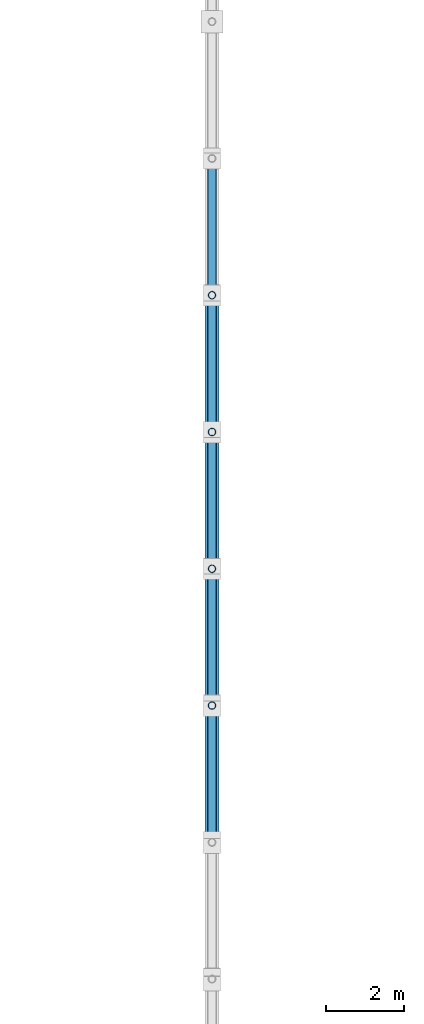
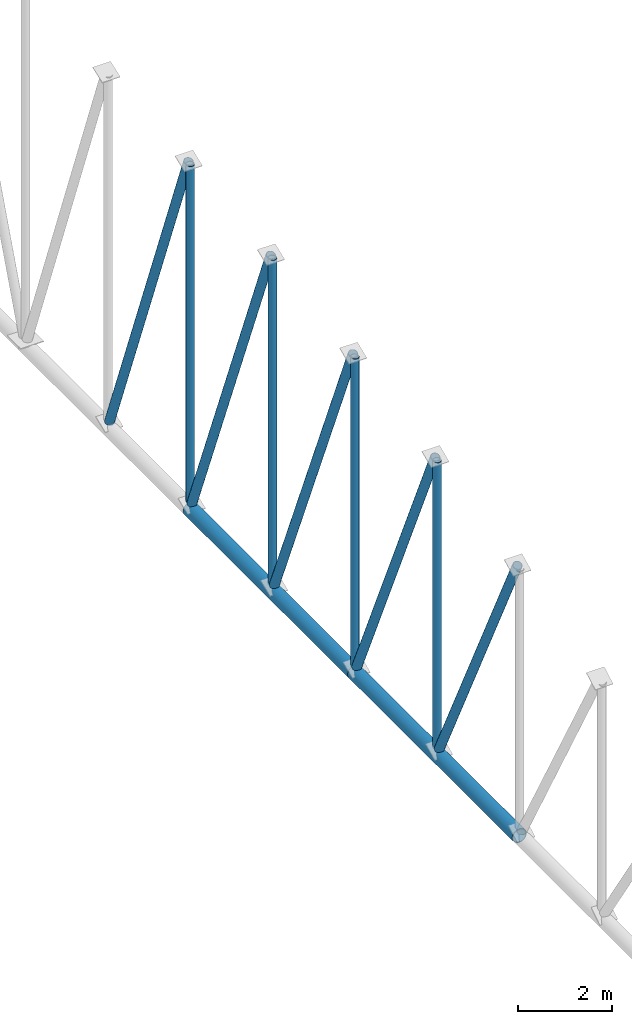
# One storey, part 69 of 196: 11 members.
"""IFC4 building model written with IfcOpenShell, lengths in metres."""

from ifc_helpers import new_model, si_unit, direction, frame, origin, origin_2d, place, context, subcontext, project, spatial, hollow_circle, extrude, material, material_profile, profile_set, type_object, element, save


model = new_model("IFC4")

# Units and contexts
model_context = context("Model", 3, precision=1e-05, world=origin(), true_north=direction((0.0, 1.0)))
body_context = subcontext(model_context, "Body", "Model", "MODEL_VIEW")
ifc_project = project(units=[si_unit("LENGTHUNIT", "METRE"), si_unit("AREAUNIT", "SQUARE_METRE"), si_unit("VOLUMEUNIT", "CUBIC_METRE"), si_unit("PLANEANGLEUNIT", "RADIAN"), si_unit("MASSUNIT", "GRAM", prefix="KILO")], contexts=[model_context])

# Site, building, storey
site_placement = place(None, origin())
site = spatial("IfcSite", under=ifc_project, at=site_placement, CompositionType="ELEMENT")
building_placement = place(site_placement, origin())
building = spatial("IfcBuilding", under=site, at=building_placement, Name="Okhra Congress Centre", CompositionType="ELEMENT")
storey_placement = place(building_placement, frame((0.0, 0.0, 12.0)))
storey = spatial("IfcBuildingStorey", under=building, at=storey_placement, Name="L02", CompositionType="ELEMENT", Elevation=12.0)

# Members
ifc_material = material(Name="Steel S355J2H", Category="steel")
ifc_material_profile_1 = material_profile(ifc_material, hollow_circle(Radius=0.096923828125, WallThickness=0.008056640625, at=origin_2d()), Name="CHS 193.7x8.0")
ifc_profile_set_1 = profile_set([ifc_material_profile_1], Name="Steel S355J2H")
member_type_1 = type_object("IfcMemberType", Name="CHS 193.7x8.0", PredefinedType="POST", material=ifc_profile_set_1)
member_1_placement = place(storey_placement, frame((82.0, 156.5, 1.577880859375), z_axis=(0.0, 0.0, 1.0), x_axis=(1.0, 0.0, 0.0)))
element("IfcMember", 1, at=member_1_placement, inside=storey, type_object=member_type_1, Name="EH.MEM.L02.T4-VER-07", PredefinedType="POST", context=body_context, shape_type="SweptSolid", body=[
    extrude(hollow_circle(Radius=0.096923828125, WallThickness=0.008056640625, at=origin_2d()), origin(), (0.0, 0.0, 1.0), 7.448974609375),
])
member_2_placement = place(storey_placement, frame((82.0, 160.0, 1.577880859375), z_axis=(0.0, 0.0, 1.0), x_axis=(1.0, 0.0, 0.0)))
element("IfcMember", 2, at=member_2_placement, inside=storey, type_object=member_type_1, Name="EH.MEM.L02.T4-VER-08", PredefinedType="POST", context=body_context, shape_type="SweptSolid", body=[
    extrude(hollow_circle(Radius=0.096923828125, WallThickness=0.008056640625, at=origin_2d()), origin(), (0.0, 0.0, 1.0), 8.01708984375),
])
member_3_placement = place(storey_placement, frame((82.0, 163.5, 1.577880859375), z_axis=(0.0, 0.0, 1.0), x_axis=(1.0, 0.0, 0.0)))
element("IfcMember", 3, at=member_3_placement, inside=storey, type_object=member_type_1, Name="EH.MEM.L02.T4-VER-09", PredefinedType="POST", context=body_context, shape_type="SweptSolid", body=[
    extrude(hollow_circle(Radius=0.096923828125, WallThickness=0.008056640625, at=origin_2d()), origin(), (0.0, 0.0, 1.0), 8.456787109375),
])
member_4_placement = place(storey_placement, frame((82.0, 167.0, 1.577880859375), z_axis=(0.0, 0.0, 1.0), x_axis=(1.0, 0.0, 0.0)))
element("IfcMember", 4, at=member_4_placement, inside=storey, type_object=member_type_1, Name="EH.MEM.L02.T4-VER-10", PredefinedType="POST", context=body_context, shape_type="SweptSolid", body=[
    extrude(hollow_circle(Radius=0.096923828125, WallThickness=0.008056640625, at=origin_2d()), origin(), (0.0, 0.0, 1.0), 8.76953125),
])
ifc_material_profile_2 = material_profile(ifc_material, hollow_circle(Radius=0.109619140625, WallThickness=0.010009765625, at=origin_2d()), Name="CHS 219.1x10.0")
ifc_profile_set_2 = profile_set([ifc_material_profile_2], Name="Steel S355J2H")
member_type_2 = type_object("IfcMemberType", Name="CHS 219.1x10.0", PredefinedType="BRACE", material=ifc_profile_set_2)
member_5_placement = place(storey_placement, frame((82.0, 153.083740234375, 8.365234375), z_axis=(0.0, 0.440367038805, -0.897817838503), x_axis=(-1.0, 0.0, 0.0)))
element("IfcMember", 5, at=member_5_placement, inside=storey, type_object=member_type_2, Name="EH.MEM.L02.T4-DIA-06", PredefinedType="BRACE", context=body_context, shape_type="SweptSolid", body=[
    extrude(hollow_circle(Radius=0.109619140625, WallThickness=0.010009765625, at=origin_2d()), origin(), (0.0, 0.0, 1.0), 7.559814453125),
])
member_6_placement = place(storey_placement, frame((82.0, 156.57763671875, 9.0595703125), z_axis=(0.0, 0.407953800593, -0.913002572057), x_axis=(-1.0, 0.0, 0.0)))
element("IfcMember", 6, at=member_6_placement, inside=storey, type_object=member_type_2, Name="EH.MEM.L02.T4-DIA-07", PredefinedType="BRACE", context=body_context, shape_type="SweptSolid", body=[
    extrude(hollow_circle(Radius=0.109619140625, WallThickness=0.010009765625, at=origin_2d()), origin(), (0.0, 0.0, 1.0), 8.194580078125),
])
member_7_placement = place(storey_placement, frame((82.0, 160.073486328125, 9.6240234375), z_axis=(0.0, 0.384613395842, -0.92307775173), x_axis=(-1.0, 0.0, 0.0)))
element("IfcMember", 7, at=member_7_placement, inside=storey, type_object=member_type_2, Name="EH.MEM.L02.T4-DIA-08", PredefinedType="BRACE", context=body_context, shape_type="SweptSolid", body=[
    extrude(hollow_circle(Radius=0.109619140625, WallThickness=0.010009765625, at=origin_2d()), origin(), (0.0, 0.0, 1.0), 8.716552734375),
])
member_8_placement = place(storey_placement, frame((82.0, 163.570556640625, 10.060546875), z_axis=(0.0, 0.368181952794, -0.929753757528), x_axis=(-1.0, 0.0, 0.0)))
element("IfcMember", 8, at=member_8_placement, inside=storey, type_object=member_type_2, Name="EH.MEM.L02.T4-DIA-09", PredefinedType="BRACE", context=body_context, shape_type="SweptSolid", body=[
    extrude(hollow_circle(Radius=0.109619140625, WallThickness=0.010009765625, at=origin_2d()), origin(), (0.0, 0.0, 1.0), 9.12353515625),
])
member_9_placement = place(storey_placement, frame((82.0, 167.069091796875, 10.37060546875), z_axis=(0.0, 0.357217988255, -0.934021043054), x_axis=(-1.0, 0.0, 0.0)))
element("IfcMember", 9, at=member_9_placement, inside=storey, type_object=member_type_2, Name="EH.MEM.L02.T4-DIA-10", PredefinedType="BRACE", context=body_context, shape_type="SweptSolid", body=[
    extrude(hollow_circle(Radius=0.109619140625, WallThickness=0.010009765625, at=origin_2d()), origin(), (0.0, 0.0, 1.0), 9.413818359375),
])
ifc_material_profile_3 = material_profile(ifc_material, hollow_circle(Radius=0.177734375, WallThickness=0.01611328125, at=origin_2d()), Name="CHS 355.6x16.0")
ifc_profile_set_3 = profile_set([ifc_material_profile_3], Name="Steel S355J2H")
member_type_3 = type_object("IfcMemberType", Name="CHS 355.6x16.0", PredefinedType="CHORD", material=ifc_profile_set_3)
member_10_placement = place(storey_placement, frame((82.0, 153.0, 1.39990234375), z_axis=(0.0, 1.0, 0.0), x_axis=(-1.0, 0.0, 0.0)))
element("IfcMember", 10, at=member_10_placement, inside=storey, type_object=member_type_3, Name="EH.MEM.L02.T4-BOT-04", PredefinedType="CHORD", context=body_context, shape_type="SweptSolid", body=[
    extrude(hollow_circle(Radius=0.177734375, WallThickness=0.01611328125, at=origin_2d()), origin(), (0.0, 0.0, 1.0), 7.0),
])
ifc_material_profile_4 = material_profile(ifc_material, hollow_circle(Radius=0.177734375, WallThickness=0.02001953125, at=origin_2d()), Name="CHS 355.6x20.0")
ifc_profile_set_4 = profile_set([ifc_material_profile_4], Name="Steel S355J2H")
member_type_4 = type_object("IfcMemberType", Name="CHS 355.6x20.0", PredefinedType="CHORD", material=ifc_profile_set_4)
member_11_placement = place(storey_placement, frame((82.0, 160.0, 1.39990234375), z_axis=(0.0, 1.0, 0.0), x_axis=(-1.0, 0.0, 0.0)))
element("IfcMember", 11, at=member_11_placement, inside=storey, type_object=member_type_4, Name="EH.MEM.L02.T4-BOT-05", PredefinedType="CHORD", context=body_context, shape_type="SweptSolid", body=[
    extrude(hollow_circle(Radius=0.177734375, WallThickness=0.02001953125, at=origin_2d()), origin(), (0.0, 0.0, 1.0), 7.0),
])

save(model, "model.ifc")
